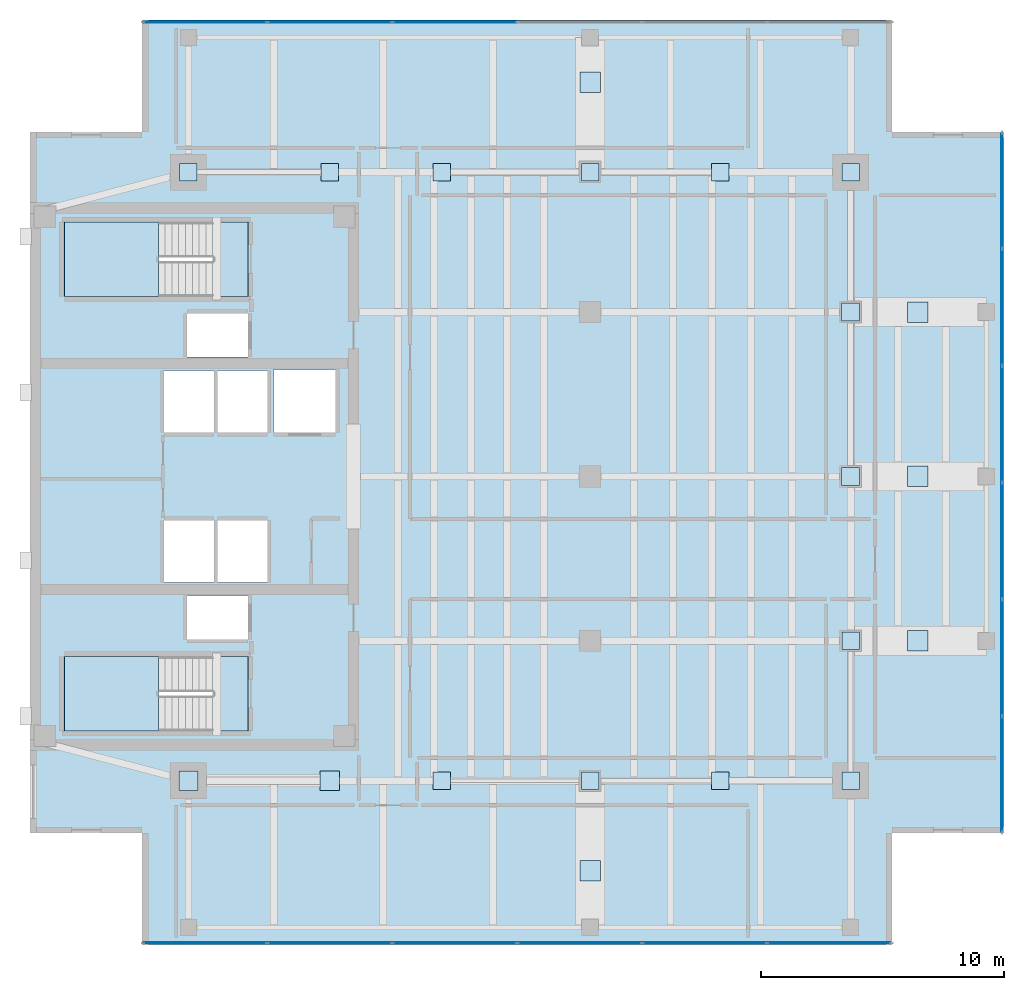
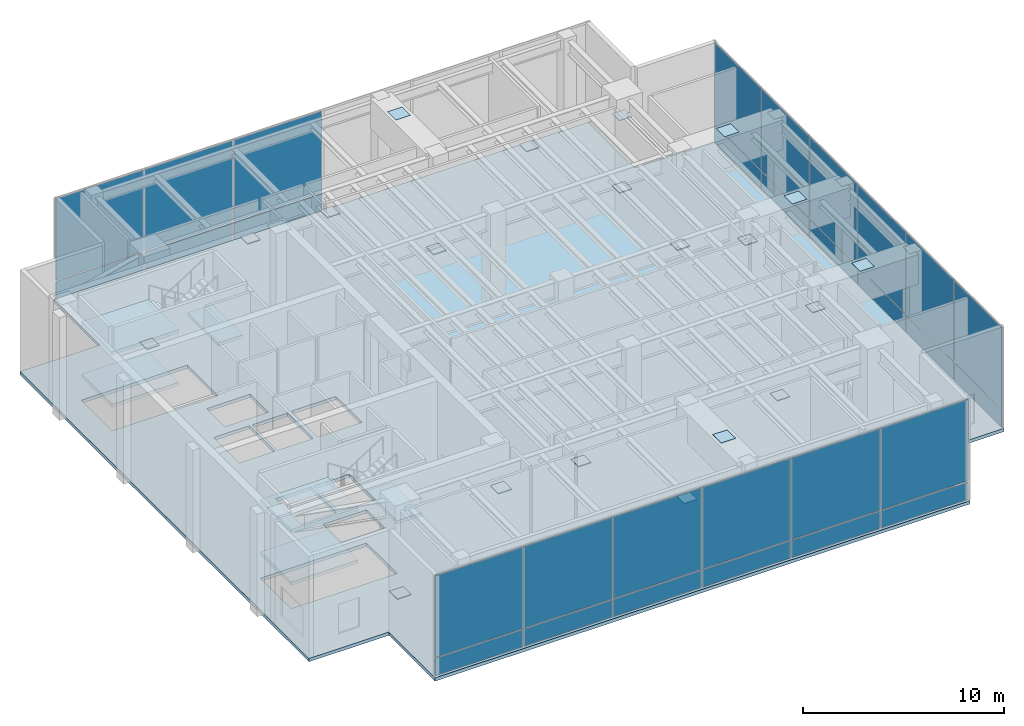
# One storey, part 7 of 11: 51 plates, 7 slabs, 5 elements without a shape of their own.
"""IFC4 building model written with IfcOpenShell, lengths in metres."""

from ifc_helpers import new_model, si_unit, direction, frame, origin, origin_2d, place, context, subcontext, project, spatial, polyline, rectangle, outline, extrude, material, layer, layer_set, type_object, element, aggregate, save


model = new_model("IFC4")

# Units and contexts
model_context = context("Model", 3, precision=1e-05, world=origin(), true_north=direction((0.0, 1.0)))
body_context = subcontext(model_context, "Body", "Model", "MODEL_VIEW")
ifc_project = project(units=[si_unit("LENGTHUNIT", "METRE"), si_unit("AREAUNIT", "SQUARE_METRE"), si_unit("VOLUMEUNIT", "CUBIC_METRE"), si_unit("PLANEANGLEUNIT", "RADIAN"), si_unit("MASSUNIT", "GRAM", prefix="KILO")], contexts=[model_context])

# Site, building, storey
site_placement = place(None, origin())
site = spatial("IfcSite", under=ifc_project, at=site_placement, CompositionType="ELEMENT")
building_placement = place(site_placement, origin())
building = spatial("IfcBuilding", under=site, at=building_placement, Name="Kinhvarn Gate Tower", CompositionType="ELEMENT")
storey_placement = place(building_placement, frame((0.0, 0.0, 296.64990234375)))
storey = spatial("IfcBuildingStorey", under=building, at=storey_placement, Name="L79", CompositionType="ELEMENT", Elevation=296.64990234375)

# Curtain wall, plates
ifc_material_1 = material(Name="Anodised aluminium AW-6063", Category="aluminium")
ifc_layer_1 = layer(ifc_material_1, 0.199951171875)
ifc_layer_set_1 = layer_set([ifc_layer_1], Name="Anodised aluminium AW-6063")
curtain_wall_type = type_object("IfcCurtainWallType", Name="CW-SYS-6", PredefinedType="NOTDEFINED", material=ifc_layer_set_1)
curtain_wall_1_placement = place(storey_placement, origin())
curtain_wall_1 = element("IfcCurtainWall", 1, at=curtain_wall_1_placement, inside=storey, type_object=curtain_wall_type, Name="Curtain Wall CW6 (L79)", PredefinedType="NOTDEFINED")
ifc_material_2 = material(Name="Translucent lantern laminated glazing", Category="glass")
ifc_layer_2 = layer(ifc_material_2, 0.035888671875)
ifc_layer_set_2 = layer_set([ifc_layer_2], Name="Translucent lantern laminated glazing")
plate_type_1 = type_object("IfcPlateType", Name="CW-PNL-LAN", PredefinedType="CURTAIN_PANEL", material=ifc_layer_set_2)
plate_1_placement = place(storey_placement, frame((11.682861328125, 6.090087890625, 0.06494140625), z_axis=(0.0, 0.0, 1.0), x_axis=(1.0, 0.0, 0.0)))
plate_1 = element("IfcPlate", 2, at=plate_1_placement, type_object=plate_type_1, Name="CW6 panel 1.1", PredefinedType="CURTAIN_PANEL", context=body_context, shape_type="SweptSolid", body=[
    extrude(rectangle(XDim=5.035888671875, YDim=0.035888671875, at=origin_2d()), origin(), (0.0, 0.0, 1.0), 1.052490234375),
])
plate_2_placement = place(storey_placement, frame((11.682861328125, 6.090087890625, 1.1826171875), z_axis=(0.0, 0.0, 1.0), x_axis=(1.0, 0.0, 0.0)))
plate_2 = element("IfcPlate", 3, at=plate_2_placement, type_object=plate_type_1, Name="CW6 panel 1.2", PredefinedType="CURTAIN_PANEL", context=body_context, shape_type="SweptSolid", body=[
    extrude(rectangle(XDim=5.035888671875, YDim=0.035888671875, at=origin_2d()), origin(), (0.0, 0.0, 1.0), 4.952392578125),
])
plate_3_placement = place(storey_placement, frame((16.800048828125, 6.090087890625, 0.06494140625), z_axis=(0.0, 0.0, 1.0), x_axis=(1.0, 0.0, 0.0)))
plate_3 = element("IfcPlate", 4, at=plate_3_placement, type_object=plate_type_1, Name="CW6 panel 2.1", PredefinedType="CURTAIN_PANEL", context=body_context, shape_type="SweptSolid", body=[
    extrude(rectangle(XDim=5.068359375, YDim=0.035888671875, at=origin_2d()), origin(), (0.0, 0.0, 1.0), 1.052490234375),
])
plate_4_placement = place(storey_placement, frame((16.800048828125, 6.090087890625, 1.1826171875), z_axis=(0.0, 0.0, 1.0), x_axis=(1.0, 0.0, 0.0)))
plate_4 = element("IfcPlate", 5, at=plate_4_placement, type_object=plate_type_1, Name="CW6 panel 2.2", PredefinedType="CURTAIN_PANEL", context=body_context, shape_type="SweptSolid", body=[
    extrude(rectangle(XDim=5.068359375, YDim=0.035888671875, at=origin_2d()), origin(), (0.0, 0.0, 1.0), 4.952392578125),
])
plate_5_placement = place(storey_placement, frame((21.933349609375, 6.090087890625, 0.06494140625), z_axis=(0.0, 0.0, 1.0), x_axis=(1.0, 0.0, 0.0)))
plate_5 = element("IfcPlate", 6, at=plate_5_placement, type_object=plate_type_1, Name="CW6 panel 3.1", PredefinedType="CURTAIN_PANEL", context=body_context, shape_type="SweptSolid", body=[
    extrude(rectangle(XDim=5.068359375, YDim=0.035888671875, at=origin_2d()), origin(), (0.0, 0.0, 1.0), 1.052490234375),
])
plate_6_placement = place(storey_placement, frame((21.933349609375, 6.090087890625, 1.1826171875), z_axis=(0.0, 0.0, 1.0), x_axis=(1.0, 0.0, 0.0)))
plate_6 = element("IfcPlate", 7, at=plate_6_placement, type_object=plate_type_1, Name="CW6 panel 3.2", PredefinedType="CURTAIN_PANEL", context=body_context, shape_type="SweptSolid", body=[
    extrude(rectangle(XDim=5.068359375, YDim=0.035888671875, at=origin_2d()), origin(), (0.0, 0.0, 1.0), 4.952392578125),
])
plate_7_placement = place(storey_placement, frame((27.066650390625, 6.090087890625, 0.06494140625), z_axis=(0.0, 0.0, 1.0), x_axis=(1.0, 0.0, 0.0)))
plate_7 = element("IfcPlate", 8, at=plate_7_placement, type_object=plate_type_1, Name="CW6 panel 4.1", PredefinedType="CURTAIN_PANEL", context=body_context, shape_type="SweptSolid", body=[
    extrude(rectangle(XDim=5.068359375, YDim=0.035888671875, at=origin_2d()), origin(), (0.0, 0.0, 1.0), 1.052490234375),
])
plate_8_placement = place(storey_placement, frame((27.066650390625, 6.090087890625, 1.1826171875), z_axis=(0.0, 0.0, 1.0), x_axis=(1.0, 0.0, 0.0)))
plate_8 = element("IfcPlate", 9, at=plate_8_placement, type_object=plate_type_1, Name="CW6 panel 4.2", PredefinedType="CURTAIN_PANEL", context=body_context, shape_type="SweptSolid", body=[
    extrude(rectangle(XDim=5.068359375, YDim=0.035888671875, at=origin_2d()), origin(), (0.0, 0.0, 1.0), 4.952392578125),
])
plate_9_placement = place(storey_placement, frame((32.199951171875, 6.090087890625, 0.06494140625), z_axis=(0.0, 0.0, 1.0), x_axis=(1.0, 0.0, 0.0)))
plate_9 = element("IfcPlate", 10, at=plate_9_placement, type_object=plate_type_1, Name="CW6 panel 5.1", PredefinedType="CURTAIN_PANEL", context=body_context, shape_type="SweptSolid", body=[
    extrude(rectangle(XDim=5.068359375, YDim=0.035888671875, at=origin_2d()), origin(), (0.0, 0.0, 1.0), 1.052490234375),
])
plate_10_placement = place(storey_placement, frame((32.199951171875, 6.090087890625, 1.1826171875), z_axis=(0.0, 0.0, 1.0), x_axis=(1.0, 0.0, 0.0)))
plate_10 = element("IfcPlate", 11, at=plate_10_placement, type_object=plate_type_1, Name="CW6 panel 5.2", PredefinedType="CURTAIN_PANEL", context=body_context, shape_type="SweptSolid", body=[
    extrude(rectangle(XDim=5.068359375, YDim=0.035888671875, at=origin_2d()), origin(), (0.0, 0.0, 1.0), 4.952392578125),
])
plate_11_placement = place(storey_placement, frame((37.317138671875, 6.090087890625, 0.06494140625), z_axis=(0.0, 0.0, 1.0), x_axis=(1.0, 0.0, 0.0)))
plate_11 = element("IfcPlate", 12, at=plate_11_placement, type_object=plate_type_1, Name="CW6 panel 6.1", PredefinedType="CURTAIN_PANEL", context=body_context, shape_type="SweptSolid", body=[
    extrude(rectangle(XDim=5.035888671875, YDim=0.035888671875, at=origin_2d()), origin(), (0.0, 0.0, 1.0), 1.052490234375),
])
plate_12_placement = place(storey_placement, frame((37.317138671875, 6.090087890625, 1.1826171875), z_axis=(0.0, 0.0, 1.0), x_axis=(1.0, 0.0, 0.0)))
plate_12 = element("IfcPlate", 13, at=plate_12_placement, type_object=plate_type_1, Name="CW6 panel 6.2", PredefinedType="CURTAIN_PANEL", context=body_context, shape_type="SweptSolid", body=[
    extrude(rectangle(XDim=5.035888671875, YDim=0.035888671875, at=origin_2d()), origin(), (0.0, 0.0, 1.0), 4.952392578125),
])
aggregate(curtain_wall_1, [plate_1, plate_2, plate_3, plate_4, plate_5, plate_6, plate_7, plate_8, plate_9, plate_10, plate_11, plate_12])

curtain_wall_2_placement = place(storey_placement, origin())
curtain_wall_2 = element("IfcCurtainWall", 14, at=curtain_wall_2_placement, inside=storey, type_object=curtain_wall_type, Name="Curtain Wall CW6 (L79)", PredefinedType="NOTDEFINED")
plate_13_placement = place(storey_placement, frame((21.933349609375, 43.909912109375, 0.06494140625), z_axis=(0.0, 0.0, 1.0), x_axis=(-1.0, 0.0, 0.0)))
plate_13 = element("IfcPlate", 15, at=plate_13_placement, type_object=plate_type_1, Name="CW6 panel 4.1", PredefinedType="CURTAIN_PANEL", context=body_context, shape_type="SweptSolid", body=[
    extrude(rectangle(XDim=5.068359375, YDim=0.035888671875, at=origin_2d()), origin(), (0.0, 0.0, 1.0), 1.052490234375),
])
plate_14_placement = place(storey_placement, frame((21.933349609375, 43.909912109375, 1.1826171875), z_axis=(0.0, 0.0, 1.0), x_axis=(-1.0, 0.0, 0.0)))
plate_14 = element("IfcPlate", 16, at=plate_14_placement, type_object=plate_type_1, Name="CW6 panel 4.2", PredefinedType="CURTAIN_PANEL", context=body_context, shape_type="SweptSolid", body=[
    extrude(rectangle(XDim=5.068359375, YDim=0.035888671875, at=origin_2d()), origin(), (0.0, 0.0, 1.0), 4.952392578125),
])
plate_15_placement = place(storey_placement, frame((16.800048828125, 43.909912109375, 0.06494140625), z_axis=(0.0, 0.0, 1.0), x_axis=(-1.0, 0.0, 0.0)))
plate_15 = element("IfcPlate", 17, at=plate_15_placement, type_object=plate_type_1, Name="CW6 panel 5.1", PredefinedType="CURTAIN_PANEL", context=body_context, shape_type="SweptSolid", body=[
    extrude(rectangle(XDim=5.068359375, YDim=0.035888671875, at=origin_2d()), origin(), (0.0, 0.0, 1.0), 1.052490234375),
])
plate_16_placement = place(storey_placement, frame((16.800048828125, 43.909912109375, 1.1826171875), z_axis=(0.0, 0.0, 1.0), x_axis=(-1.0, 0.0, 0.0)))
plate_16 = element("IfcPlate", 18, at=plate_16_placement, type_object=plate_type_1, Name="CW6 panel 5.2", PredefinedType="CURTAIN_PANEL", context=body_context, shape_type="SweptSolid", body=[
    extrude(rectangle(XDim=5.068359375, YDim=0.035888671875, at=origin_2d()), origin(), (0.0, 0.0, 1.0), 4.952392578125),
])
plate_17_placement = place(storey_placement, frame((11.682861328125, 43.909912109375, 0.06494140625), z_axis=(0.0, 0.0, 1.0), x_axis=(-1.0, 0.0, 0.0)))
plate_17 = element("IfcPlate", 19, at=plate_17_placement, type_object=plate_type_1, Name="CW6 panel 6.1", PredefinedType="CURTAIN_PANEL", context=body_context, shape_type="SweptSolid", body=[
    extrude(rectangle(XDim=5.035888671875, YDim=0.035888671875, at=origin_2d()), origin(), (0.0, 0.0, 1.0), 1.052490234375),
])
plate_18_placement = place(storey_placement, frame((11.682861328125, 43.909912109375, 1.1826171875), z_axis=(0.0, 0.0, 1.0), x_axis=(-1.0, 0.0, 0.0)))
plate_18 = element("IfcPlate", 20, at=plate_18_placement, type_object=plate_type_1, Name="CW6 panel 6.2", PredefinedType="CURTAIN_PANEL", context=body_context, shape_type="SweptSolid", body=[
    extrude(rectangle(XDim=5.035888671875, YDim=0.035888671875, at=origin_2d()), origin(), (0.0, 0.0, 1.0), 4.952392578125),
])
aggregate(curtain_wall_2, [plate_13, plate_14, plate_15, plate_16, plate_17, plate_18])

curtain_wall_3_placement = place(storey_placement, origin())
curtain_wall_3 = element("IfcCurtainWall", 21, at=curtain_wall_3_placement, inside=storey, type_object=curtain_wall_type, Name="Curtain Wall CW6 (L79)", PredefinedType="NOTDEFINED")
plate_19_placement = place(storey_placement, frame((44.409912109375, 13.016357421875, 0.06494140625), z_axis=(0.0, 0.0, 1.0), x_axis=(0.0, 1.0, 0.0)))
plate_19 = element("IfcPlate", 22, at=plate_19_placement, type_object=plate_type_1, Name="CW6 panel 1.1", PredefinedType="CURTAIN_PANEL", context=body_context, shape_type="SweptSolid", body=[
    extrude(rectangle(XDim=4.702392578125, YDim=0.035888671875, at=origin_2d()), origin(), (0.0, 0.0, 1.0), 1.052490234375),
])
plate_20_placement = place(storey_placement, frame((44.409912109375, 13.016357421875, 1.1826171875), z_axis=(0.0, 0.0, 1.0), x_axis=(0.0, 1.0, 0.0)))
plate_20 = element("IfcPlate", 23, at=plate_20_placement, type_object=plate_type_1, Name="CW6 panel 1.2", PredefinedType="CURTAIN_PANEL", context=body_context, shape_type="SweptSolid", body=[
    extrude(rectangle(XDim=4.702392578125, YDim=0.035888671875, at=origin_2d()), origin(), (0.0, 0.0, 1.0), 4.952392578125),
])
plate_21_placement = place(storey_placement, frame((44.409912109375, 17.800048828125, 0.06494140625), z_axis=(0.0, 0.0, 1.0), x_axis=(0.0, 1.0, 0.0)))
plate_21 = element("IfcPlate", 24, at=plate_21_placement, type_object=plate_type_1, Name="CW6 panel 2.1", PredefinedType="CURTAIN_PANEL", context=body_context, shape_type="SweptSolid", body=[
    extrude(rectangle(XDim=4.735107421875, YDim=0.035888671875, at=origin_2d()), origin(), (0.0, 0.0, 1.0), 1.052490234375),
])
plate_22_placement = place(storey_placement, frame((44.409912109375, 17.800048828125, 1.1826171875), z_axis=(0.0, 0.0, 1.0), x_axis=(0.0, 1.0, 0.0)))
plate_22 = element("IfcPlate", 25, at=plate_22_placement, type_object=plate_type_1, Name="CW6 panel 2.2", PredefinedType="CURTAIN_PANEL", context=body_context, shape_type="SweptSolid", body=[
    extrude(rectangle(XDim=4.735107421875, YDim=0.035888671875, at=origin_2d()), origin(), (0.0, 0.0, 1.0), 4.952392578125),
])
plate_23_placement = place(storey_placement, frame((44.409912109375, 22.60009765625, 0.06494140625), z_axis=(0.0, 0.0, 1.0), x_axis=(0.0, 1.0, 0.0)))
plate_23 = element("IfcPlate", 26, at=plate_23_placement, type_object=plate_type_1, Name="CW6 panel 3.1", PredefinedType="CURTAIN_PANEL", context=body_context, shape_type="SweptSolid", body=[
    extrude(rectangle(XDim=4.735107421875, YDim=0.035888671875, at=origin_2d()), origin(), (0.0, 0.0, 1.0), 1.052490234375),
])
plate_24_placement = place(storey_placement, frame((44.409912109375, 22.60009765625, 1.1826171875), z_axis=(0.0, 0.0, 1.0), x_axis=(0.0, 1.0, 0.0)))
plate_24 = element("IfcPlate", 27, at=plate_24_placement, type_object=plate_type_1, Name="CW6 panel 3.2", PredefinedType="CURTAIN_PANEL", context=body_context, shape_type="SweptSolid", body=[
    extrude(rectangle(XDim=4.735107421875, YDim=0.035888671875, at=origin_2d()), origin(), (0.0, 0.0, 1.0), 4.952392578125),
])
plate_25_placement = place(storey_placement, frame((44.409912109375, 27.39990234375, 0.06494140625), z_axis=(0.0, 0.0, 1.0), x_axis=(0.0, 1.0, 0.0)))
plate_25 = element("IfcPlate", 28, at=plate_25_placement, type_object=plate_type_1, Name="CW6 panel 4.1", PredefinedType="CURTAIN_PANEL", context=body_context, shape_type="SweptSolid", body=[
    extrude(rectangle(XDim=4.735107421875, YDim=0.035888671875, at=origin_2d()), origin(), (0.0, 0.0, 1.0), 1.052490234375),
])
plate_26_placement = place(storey_placement, frame((44.409912109375, 27.39990234375, 1.1826171875), z_axis=(0.0, 0.0, 1.0), x_axis=(0.0, 1.0, 0.0)))
plate_26 = element("IfcPlate", 29, at=plate_26_placement, type_object=plate_type_1, Name="CW6 panel 4.2", PredefinedType="CURTAIN_PANEL", context=body_context, shape_type="SweptSolid", body=[
    extrude(rectangle(XDim=4.735107421875, YDim=0.035888671875, at=origin_2d()), origin(), (0.0, 0.0, 1.0), 4.952392578125),
])
plate_27_placement = place(storey_placement, frame((44.409912109375, 32.199951171875, 0.06494140625), z_axis=(0.0, 0.0, 1.0), x_axis=(0.0, 1.0, 0.0)))
plate_27 = element("IfcPlate", 30, at=plate_27_placement, type_object=plate_type_1, Name="CW6 panel 5.1", PredefinedType="CURTAIN_PANEL", context=body_context, shape_type="SweptSolid", body=[
    extrude(rectangle(XDim=4.735107421875, YDim=0.035888671875, at=origin_2d()), origin(), (0.0, 0.0, 1.0), 1.052490234375),
])
plate_28_placement = place(storey_placement, frame((44.409912109375, 32.199951171875, 1.1826171875), z_axis=(0.0, 0.0, 1.0), x_axis=(0.0, 1.0, 0.0)))
plate_28 = element("IfcPlate", 31, at=plate_28_placement, type_object=plate_type_1, Name="CW6 panel 5.2", PredefinedType="CURTAIN_PANEL", context=body_context, shape_type="SweptSolid", body=[
    extrude(rectangle(XDim=4.735107421875, YDim=0.035888671875, at=origin_2d()), origin(), (0.0, 0.0, 1.0), 4.952392578125),
])
plate_29_placement = place(storey_placement, frame((44.409912109375, 36.983642578125, 0.06494140625), z_axis=(0.0, 0.0, 1.0), x_axis=(0.0, 1.0, 0.0)))
plate_29 = element("IfcPlate", 32, at=plate_29_placement, type_object=plate_type_1, Name="CW6 panel 6.1", PredefinedType="CURTAIN_PANEL", context=body_context, shape_type="SweptSolid", body=[
    extrude(rectangle(XDim=4.702392578125, YDim=0.035888671875, at=origin_2d()), origin(), (0.0, 0.0, 1.0), 1.052490234375),
])
plate_30_placement = place(storey_placement, frame((44.409912109375, 36.983642578125, 1.1826171875), z_axis=(0.0, 0.0, 1.0), x_axis=(0.0, 1.0, 0.0)))
plate_30 = element("IfcPlate", 33, at=plate_30_placement, type_object=plate_type_1, Name="CW6 panel 6.2", PredefinedType="CURTAIN_PANEL", context=body_context, shape_type="SweptSolid", body=[
    extrude(rectangle(XDim=4.702392578125, YDim=0.035888671875, at=origin_2d()), origin(), (0.0, 0.0, 1.0), 4.952392578125),
])
aggregate(curtain_wall_3, [plate_19, plate_20, plate_21, plate_22, plate_23, plate_24, plate_25, plate_26, plate_27, plate_28, plate_29, plate_30])

# Plates
ifc_material_3 = material(Name="Steel S355", Category="steel")
ifc_layer_3 = layer(ifc_material_3, 0.02392578125)
ifc_layer_set_3 = layer_set([ifc_layer_3], Name="Steel S355")
plate_type_2 = type_object("IfcPlateType", Name="PLT-NODE-CB1", PredefinedType="USERDEFINED", material=ifc_layer_set_3)
plate_31_placement = place(storey_placement, frame((0.0, 0.0, 6.378173828125)))
element("IfcPlate", 34, at=plate_31_placement, inside=storey, type_object=plate_type_2, Name="Structural Node Cap Plate CB1", ObjectType="GUSSET_PLATE", PredefinedType="USERDEFINED", context=body_context, shape_type="SweptSolid", body=[
    extrude(outline(polyline([(40.530029296875, 18.080078125), (41.3701171875, 18.080078125), (41.3701171875, 18.919921875), (40.530029296875, 18.919921875), (40.530029296875, 18.080078125)])), origin(), (0.0, 0.0, 1.0), 0.02392578125),
])
plate_32_placement = place(storey_placement, frame((0.0, 0.0, 6.378173828125)))
element("IfcPlate", 35, at=plate_32_placement, inside=storey, type_object=plate_type_2, Name="Structural Node Cap Plate CB1", ObjectType="GUSSET_PLATE", PredefinedType="USERDEFINED", context=body_context, shape_type="SweptSolid", body=[
    extrude(outline(polyline([(40.530029296875, 24.830078125), (41.3701171875, 24.830078125), (41.3701171875, 25.669921875), (40.530029296875, 25.669921875), (40.530029296875, 24.830078125)])), origin(), (0.0, 0.0, 1.0), 0.02392578125),
])
plate_33_placement = place(storey_placement, frame((0.0, 0.0, 6.378173828125)))
element("IfcPlate", 36, at=plate_33_placement, inside=storey, type_object=plate_type_2, Name="Structural Node Cap Plate CB1", ObjectType="GUSSET_PLATE", PredefinedType="USERDEFINED", context=body_context, shape_type="SweptSolid", body=[
    extrude(outline(polyline([(40.530029296875, 31.580078125), (41.3701171875, 31.580078125), (41.3701171875, 32.419921875), (40.530029296875, 32.419921875), (40.530029296875, 31.580078125)])), origin(), (0.0, 0.0, 1.0), 0.02392578125),
])
plate_34_placement = place(storey_placement, frame((0.0, 0.0, 6.378173828125)))
element("IfcPlate", 37, at=plate_34_placement, inside=storey, type_object=plate_type_2, Name="Structural Node Cap Plate CB1", ObjectType="GUSSET_PLATE", PredefinedType="USERDEFINED", context=body_context, shape_type="SweptSolid", body=[
    extrude(outline(polyline([(27.080078125, 8.6298828125), (27.919921875, 8.6298828125), (27.919921875, 9.469970703125), (27.080078125, 9.469970703125), (27.080078125, 8.6298828125)])), origin(), (0.0, 0.0, 1.0), 0.02392578125),
])
plate_35_placement = place(storey_placement, frame((0.0, 0.0, 6.378173828125)))
element("IfcPlate", 38, at=plate_35_placement, inside=storey, type_object=plate_type_2, Name="Structural Node Cap Plate CB1", ObjectType="GUSSET_PLATE", PredefinedType="USERDEFINED", context=body_context, shape_type="SweptSolid", body=[
    extrude(outline(polyline([(27.080078125, 41.030029296875), (27.919921875, 41.030029296875), (27.919921875, 41.8701171875), (27.080078125, 41.8701171875), (27.080078125, 41.030029296875)])), origin(), (0.0, 0.0, 1.0), 0.02392578125),
])
ifc_layer_4 = layer(ifc_material_3, 0.033935546875)
ifc_layer_set_4 = layer_set([ifc_layer_4], Name="Steel S355")
plate_type_3 = type_object("IfcPlateType", Name="PLT-NODE-DN1", PredefinedType="USERDEFINED", material=ifc_layer_set_4)
plate_36_placement = place(storey_placement, frame((0.0, 0.0, 0.39013671875)))
element("IfcPlate", 39, at=plate_36_placement, inside=storey, type_object=plate_type_3, Name="Structural Node Cap Plate DN1", ObjectType="GUSSET_PLATE", PredefinedType="USERDEFINED", context=body_context, shape_type="SweptSolid", body=[
    extrude(outline(polyline([(10.60595703125, 12.35595703125), (11.39404296875, 12.35595703125), (11.39404296875, 13.14404296875), (10.60595703125, 13.14404296875), (10.60595703125, 12.35595703125)])), origin(), (0.0, 0.0, 1.0), 0.033935546875),
])
plate_37_placement = place(storey_placement, frame((0.0, 0.0, 4.776123046875)))
element("IfcPlate", 40, at=plate_37_placement, inside=storey, type_object=plate_type_3, Name="Structural Node Cap Plate DN1", ObjectType="GUSSET_PLATE", PredefinedType="USERDEFINED", context=body_context, shape_type="SweptSolid", body=[
    extrude(outline(polyline([(16.406005859375, 12.35595703125), (17.194091796875, 12.35595703125), (17.194091796875, 13.14404296875), (16.406005859375, 13.14404296875), (16.406005859375, 12.35595703125)])), origin(), (0.0, 0.0, 1.0), 0.033935546875),
])
plate_38_placement = place(storey_placement, frame((0.0, 0.0, 4.776123046875)))
element("IfcPlate", 41, at=plate_38_placement, inside=storey, type_object=plate_type_3, Name="Structural Node Cap Plate DN1", ObjectType="GUSSET_PLATE", PredefinedType="USERDEFINED", context=body_context, shape_type="SweptSolid", body=[
    extrude(outline(polyline([(21.0400390625, 12.389892578125), (21.760009765625, 12.389892578125), (21.760009765625, 13.110107421875), (21.0400390625, 13.110107421875), (21.0400390625, 12.389892578125)])), origin(), (0.0, 0.0, 1.0), 0.033935546875),
])
plate_39_placement = place(storey_placement, frame((0.0, 0.0, 0.39013671875)))
element("IfcPlate", 42, at=plate_39_placement, inside=storey, type_object=plate_type_3, Name="Structural Node Cap Plate DN1", ObjectType="GUSSET_PLATE", PredefinedType="USERDEFINED", context=body_context, shape_type="SweptSolid", body=[
    extrude(outline(polyline([(27.139892578125, 12.389892578125), (27.860107421875, 12.389892578125), (27.860107421875, 13.110107421875), (27.139892578125, 13.110107421875), (27.139892578125, 12.389892578125)])), origin(), (0.0, 0.0, 1.0), 0.033935546875),
])
plate_40_placement = place(storey_placement, frame((0.0, 0.0, 4.776123046875)))
element("IfcPlate", 43, at=plate_40_placement, inside=storey, type_object=plate_type_3, Name="Structural Node Cap Plate DN1", ObjectType="GUSSET_PLATE", PredefinedType="USERDEFINED", context=body_context, shape_type="SweptSolid", body=[
    extrude(outline(polyline([(32.489990234375, 12.389892578125), (33.2099609375, 12.389892578125), (33.2099609375, 13.110107421875), (32.489990234375, 13.110107421875), (32.489990234375, 12.389892578125)])), origin(), (0.0, 0.0, 1.0), 0.033935546875),
])
plate_41_placement = place(storey_placement, frame((0.0, 0.0, 0.39013671875)))
element("IfcPlate", 44, at=plate_41_placement, inside=storey, type_object=plate_type_3, Name="Structural Node Cap Plate DN1", ObjectType="GUSSET_PLATE", PredefinedType="USERDEFINED", context=body_context, shape_type="SweptSolid", body=[
    extrude(outline(polyline([(37.840087890625, 12.389892578125), (38.56005859375, 12.389892578125), (38.56005859375, 13.110107421875), (37.840087890625, 13.110107421875), (37.840087890625, 12.389892578125)])), origin(), (0.0, 0.0, 1.0), 0.033935546875),
])
plate_42_placement = place(storey_placement, frame((0.0, 0.0, 0.39013671875)))
element("IfcPlate", 45, at=plate_42_placement, inside=storey, type_object=plate_type_3, Name="Structural Node Cap Plate DN1", ObjectType="GUSSET_PLATE", PredefinedType="USERDEFINED", context=body_context, shape_type="SweptSolid", body=[
    extrude(outline(polyline([(10.639892578125, 37.389892578125), (11.360107421875, 37.389892578125), (11.360107421875, 38.110107421875), (10.639892578125, 38.110107421875), (10.639892578125, 37.389892578125)])), origin(), (0.0, 0.0, 1.0), 0.033935546875),
])
plate_43_placement = place(storey_placement, frame((0.0, 0.0, 4.776123046875)))
element("IfcPlate", 46, at=plate_43_placement, inside=storey, type_object=plate_type_3, Name="Structural Node Cap Plate DN1", ObjectType="GUSSET_PLATE", PredefinedType="USERDEFINED", context=body_context, shape_type="SweptSolid", body=[
    extrude(outline(polyline([(16.43994140625, 37.389892578125), (17.159912109375, 37.389892578125), (17.159912109375, 38.110107421875), (16.43994140625, 38.110107421875), (16.43994140625, 37.389892578125)])), origin(), (0.0, 0.0, 1.0), 0.033935546875),
])
plate_44_placement = place(storey_placement, frame((0.0, 0.0, 4.776123046875)))
element("IfcPlate", 47, at=plate_44_placement, inside=storey, type_object=plate_type_3, Name="Structural Node Cap Plate DN1", ObjectType="GUSSET_PLATE", PredefinedType="USERDEFINED", context=body_context, shape_type="SweptSolid", body=[
    extrude(outline(polyline([(21.034912109375, 37.385009765625), (21.764892578125, 37.385009765625), (21.764892578125, 38.114990234375), (21.034912109375, 38.114990234375), (21.034912109375, 37.385009765625)])), origin(), (0.0, 0.0, 1.0), 0.033935546875),
])
plate_45_placement = place(storey_placement, frame((0.0, 0.0, 0.39013671875)))
element("IfcPlate", 48, at=plate_45_placement, inside=storey, type_object=plate_type_3, Name="Structural Node Cap Plate DN1", ObjectType="GUSSET_PLATE", PredefinedType="USERDEFINED", context=body_context, shape_type="SweptSolid", body=[
    extrude(outline(polyline([(27.135009765625, 37.385009765625), (27.864990234375, 37.385009765625), (27.864990234375, 38.114990234375), (27.135009765625, 38.114990234375), (27.135009765625, 37.385009765625)])), origin(), (0.0, 0.0, 1.0), 0.033935546875),
])
plate_46_placement = place(storey_placement, frame((0.0, 0.0, 4.776123046875)))
element("IfcPlate", 49, at=plate_46_placement, inside=storey, type_object=plate_type_3, Name="Structural Node Cap Plate DN1", ObjectType="GUSSET_PLATE", PredefinedType="USERDEFINED", context=body_context, shape_type="SweptSolid", body=[
    extrude(outline(polyline([(32.489990234375, 37.389892578125), (33.2099609375, 37.389892578125), (33.2099609375, 38.110107421875), (32.489990234375, 38.110107421875), (32.489990234375, 37.389892578125)])), origin(), (0.0, 0.0, 1.0), 0.033935546875),
])
plate_47_placement = place(storey_placement, frame((0.0, 0.0, 0.39013671875)))
element("IfcPlate", 50, at=plate_47_placement, inside=storey, type_object=plate_type_3, Name="Structural Node Cap Plate DN1", ObjectType="GUSSET_PLATE", PredefinedType="USERDEFINED", context=body_context, shape_type="SweptSolid", body=[
    extrude(outline(polyline([(37.840087890625, 37.389892578125), (38.56005859375, 37.389892578125), (38.56005859375, 38.110107421875), (37.840087890625, 38.110107421875), (37.840087890625, 37.389892578125)])), origin(), (0.0, 0.0, 1.0), 0.033935546875),
])
plate_48_placement = place(storey_placement, frame((0.0, 0.0, 4.776123046875)))
element("IfcPlate", 51, at=plate_48_placement, inside=storey, type_object=plate_type_3, Name="Structural Node Cap Plate DN1", ObjectType="GUSSET_PLATE", PredefinedType="USERDEFINED", context=body_context, shape_type="SweptSolid", body=[
    extrude(outline(polyline([(37.840087890625, 18.139892578125), (38.56005859375, 18.139892578125), (38.56005859375, 18.860107421875), (37.840087890625, 18.860107421875), (37.840087890625, 18.139892578125)])), origin(), (0.0, 0.0, 1.0), 0.033935546875),
])
plate_49_placement = place(storey_placement, frame((0.0, 0.0, 4.776123046875)))
element("IfcPlate", 52, at=plate_49_placement, inside=storey, type_object=plate_type_3, Name="Structural Node Cap Plate DN1", ObjectType="GUSSET_PLATE", PredefinedType="USERDEFINED", context=body_context, shape_type="SweptSolid", body=[
    extrude(outline(polyline([(37.8349609375, 24.885009765625), (38.56494140625, 24.885009765625), (38.56494140625, 25.614990234375), (37.8349609375, 25.614990234375), (37.8349609375, 24.885009765625)])), origin(), (0.0, 0.0, 1.0), 0.033935546875),
])
plate_50_placement = place(storey_placement, frame((0.0, 0.0, 0.39013671875)))
element("IfcPlate", 53, at=plate_50_placement, inside=storey, type_object=plate_type_3, Name="Structural Node Cap Plate DN1", ObjectType="GUSSET_PLATE", PredefinedType="USERDEFINED", context=body_context, shape_type="SweptSolid", body=[
    extrude(outline(polyline([(37.8349609375, 31.635009765625), (38.56494140625, 31.635009765625), (38.56494140625, 32.364990234375), (37.8349609375, 32.364990234375), (37.8349609375, 31.635009765625)])), origin(), (0.0, 0.0, 1.0), 0.033935546875),
])
plate_51_placement = place(storey_placement, frame((0.0, 0.0, 4.776123046875)))
element("IfcPlate", 54, at=plate_51_placement, inside=storey, type_object=plate_type_3, Name="Structural Node Cap Plate DN1", ObjectType="GUSSET_PLATE", PredefinedType="USERDEFINED", context=body_context, shape_type="SweptSolid", body=[
    extrude(outline(polyline([(37.840087890625, 37.389892578125), (38.56005859375, 37.389892578125), (38.56005859375, 38.110107421875), (37.840087890625, 38.110107421875), (37.840087890625, 37.389892578125)])), origin(), (0.0, 0.0, 1.0), 0.033935546875),
])

# Slab
ifc_material_4 = material(Name="Concrete C50/60", Category="concrete")
ifc_layer_5 = layer(ifc_material_4, 0.199951171875)
ifc_layer_set_5 = layer_set([ifc_layer_5], Name="Concrete C50/60")
slab_type_1 = type_object("IfcSlabType", Name="SLB-REF-200", PredefinedType="FLOOR", material=ifc_layer_set_5)
slab_1_placement = place(storey_placement, frame((0.0, 0.0, -0.199951171875)))
element("IfcSlab", 55, at=slab_1_placement, inside=storey, type_object=slab_type_1, Name="Suspended Floor Slab L79", PredefinedType="FLOOR", context=body_context, shape_type="SweptSolid", body=[
    extrude(outline(polyline([(9.10009765625, 6.0), (39.89990234375, 6.0), (39.89990234375, 10.60009765625), (44.5, 10.60009765625), (44.5, 39.39990234375), (39.89990234375, 39.39990234375), (39.89990234375, 44.0), (9.10009765625, 44.0), (9.10009765625, 39.39990234375), (4.5, 39.39990234375), (4.5, 10.60009765625), (9.10009765625, 10.60009765625), (9.10009765625, 6.0)]), holes=[polyline([(5.89990234375, 14.800048828125), (12.0, 14.800048828125), (12.0, 17.85009765625), (5.89990234375, 17.85009765625), (5.89990234375, 14.800048828125)]), polyline([(5.89990234375, 32.64990234375), (12.0, 32.64990234375), (12.0, 35.699951171875), (5.89990234375, 35.699951171875), (5.89990234375, 32.64990234375)]), polyline([(10.0, 20.89990234375), (12.050048828125, 20.89990234375), (12.050048828125, 23.449951171875), (10.0, 23.449951171875), (10.0, 20.89990234375)]), polyline([(12.199951171875, 20.89990234375), (14.25, 20.89990234375), (14.25, 23.449951171875), (12.199951171875, 23.449951171875), (12.199951171875, 20.89990234375)]), polyline([(10.0, 27.050048828125), (12.050048828125, 27.050048828125), (12.050048828125, 29.60009765625), (10.0, 29.60009765625), (10.0, 27.050048828125)]), polyline([(12.199951171875, 27.050048828125), (14.25, 27.050048828125), (14.25, 29.60009765625), (12.199951171875, 29.60009765625), (12.199951171875, 27.050048828125)]), polyline([(14.5, 27.050048828125), (17.050048828125, 27.050048828125), (17.050048828125, 29.64990234375), (14.5, 29.64990234375), (14.5, 27.050048828125)]), polyline([(10.949951171875, 18.550048828125), (13.449951171875, 18.550048828125), (13.449951171875, 20.35009765625), (10.949951171875, 20.35009765625), (10.949951171875, 18.550048828125)]), polyline([(10.949951171875, 30.14990234375), (13.449951171875, 30.14990234375), (13.449951171875, 31.949951171875), (10.949951171875, 31.949951171875), (10.949951171875, 30.14990234375)])]), origin(), (0.0, 0.0, 1.0), 0.199951171875),
])

# Stair, slabs
ifc_material_5 = material(Name="Concrete C40/50", Category="concrete")
stair_type = type_object("IfcStairType", Name="STR-DLG-178", PredefinedType="HALF_TURN_STAIR", material=ifc_material_5)
stair_1_placement = place(storey_placement, origin())
stair_1 = element("IfcStair", 56, at=stair_1_placement, inside=storey, type_object=stair_type, Name="L79 Core Smokeproof Exit Stair ST1", PredefinedType="HALF_TURN_STAIR")
ifc_layer_6 = layer(ifc_material_5, 0.199951171875)
ifc_layer_set_6 = layer_set([ifc_layer_6], Name="Concrete C40/50")
slab_type_2 = type_object("IfcSlabType", Name="SLB-ST-LND", PredefinedType="LANDING", material=ifc_layer_set_6)
slab_2_placement = place(storey_placement, frame((0.0, 0.0, 1.400146484375)))
slab_2 = element("IfcSlab", 57, at=slab_2_placement, type_object=slab_type_2, Name="ST1 landing 1", PredefinedType="LANDING", context=body_context, shape_type="SweptSolid", body=[
    extrude(outline(polyline([(9.760009765625, 17.85009765625), (5.89990234375, 17.85009765625), (5.89990234375, 14.800048828125), (9.760009765625, 14.800048828125), (9.760009765625, 17.85009765625)])), origin(), (0.0, 0.0, 1.0), 0.199951171875),
])
slab_3_placement = place(storey_placement, frame((0.0, 0.0, 3.0)))
slab_3 = element("IfcSlab", 58, at=slab_3_placement, type_object=slab_type_2, Name="ST1 landing 2", PredefinedType="LANDING", context=body_context, shape_type="SweptSolid", body=[
    extrude(outline(polyline([(13.449951171875, 17.85009765625), (12.0, 17.85009765625), (12.0, 14.800048828125), (13.449951171875, 14.800048828125), (13.449951171875, 17.85009765625)])), origin(), (0.0, 0.0, 1.0), 0.2001953125),
])
slab_4_placement = place(storey_placement, frame((0.0, 0.0, 4.60009765625)))
slab_4 = element("IfcSlab", 59, at=slab_4_placement, type_object=slab_type_2, Name="ST1 landing 3", PredefinedType="LANDING", context=body_context, shape_type="SweptSolid", body=[
    extrude(outline(polyline([(9.760009765625, 17.85009765625), (5.89990234375, 17.85009765625), (5.89990234375, 14.800048828125), (9.760009765625, 14.800048828125), (9.760009765625, 17.85009765625)])), origin(), (0.0, 0.0, 1.0), 0.199951171875),
])
aggregate(stair_1, [slab_2, slab_3, slab_4])

stair_2_placement = place(storey_placement, origin())
stair_2 = element("IfcStair", 60, at=stair_2_placement, inside=storey, type_object=stair_type, Name="L79 Core Smokeproof Exit Stair ST2", PredefinedType="HALF_TURN_STAIR")
slab_5_placement = place(storey_placement, frame((0.0, 0.0, 1.400146484375)))
slab_5 = element("IfcSlab", 61, at=slab_5_placement, type_object=slab_type_2, Name="ST2 landing 1", PredefinedType="LANDING", context=body_context, shape_type="SweptSolid", body=[
    extrude(outline(polyline([(9.760009765625, 35.699951171875), (5.89990234375, 35.699951171875), (5.89990234375, 32.64990234375), (9.760009765625, 32.64990234375), (9.760009765625, 35.699951171875)])), origin(), (0.0, 0.0, 1.0), 0.199951171875),
])
slab_6_placement = place(storey_placement, frame((0.0, 0.0, 3.0)))
slab_6 = element("IfcSlab", 62, at=slab_6_placement, type_object=slab_type_2, Name="ST2 landing 2", PredefinedType="LANDING", context=body_context, shape_type="SweptSolid", body=[
    extrude(outline(polyline([(13.449951171875, 35.699951171875), (12.0, 35.699951171875), (12.0, 32.64990234375), (13.449951171875, 32.64990234375), (13.449951171875, 35.699951171875)])), origin(), (0.0, 0.0, 1.0), 0.2001953125),
])
slab_7_placement = place(storey_placement, frame((0.0, 0.0, 4.60009765625)))
slab_7 = element("IfcSlab", 63, at=slab_7_placement, type_object=slab_type_2, Name="ST2 landing 3", PredefinedType="LANDING", context=body_context, shape_type="SweptSolid", body=[
    extrude(outline(polyline([(9.760009765625, 35.699951171875), (5.89990234375, 35.699951171875), (5.89990234375, 32.64990234375), (9.760009765625, 32.64990234375), (9.760009765625, 35.699951171875)])), origin(), (0.0, 0.0, 1.0), 0.199951171875),
])
aggregate(stair_2, [slab_5, slab_6, slab_7])

save(model, "model.ifc")
